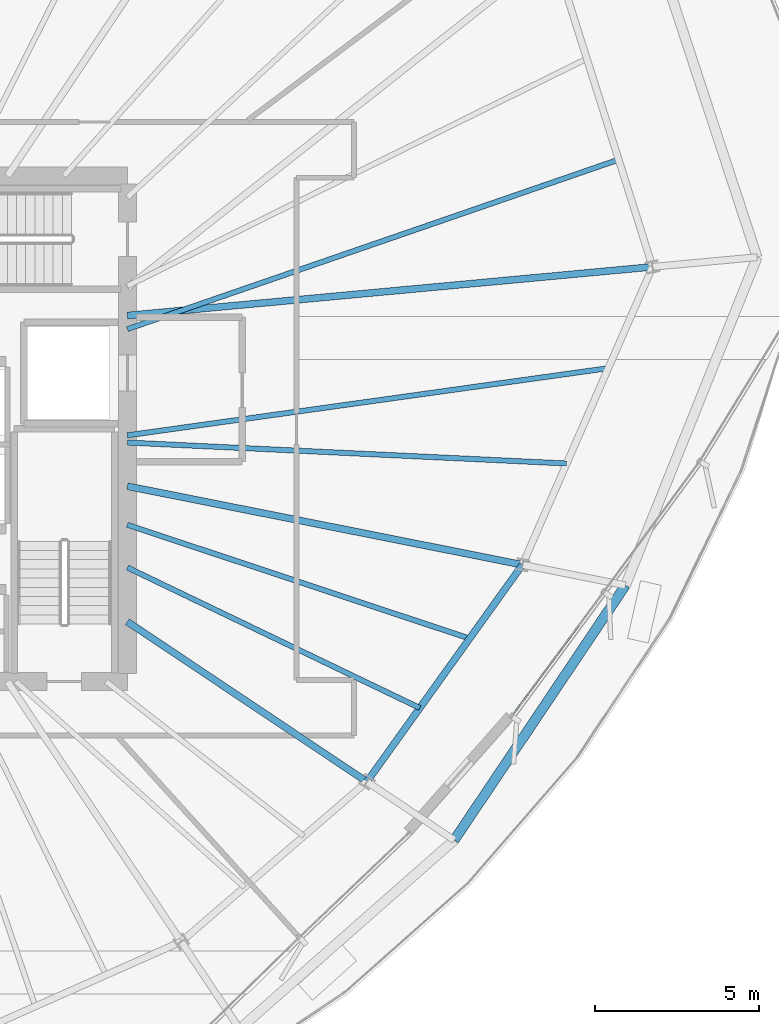
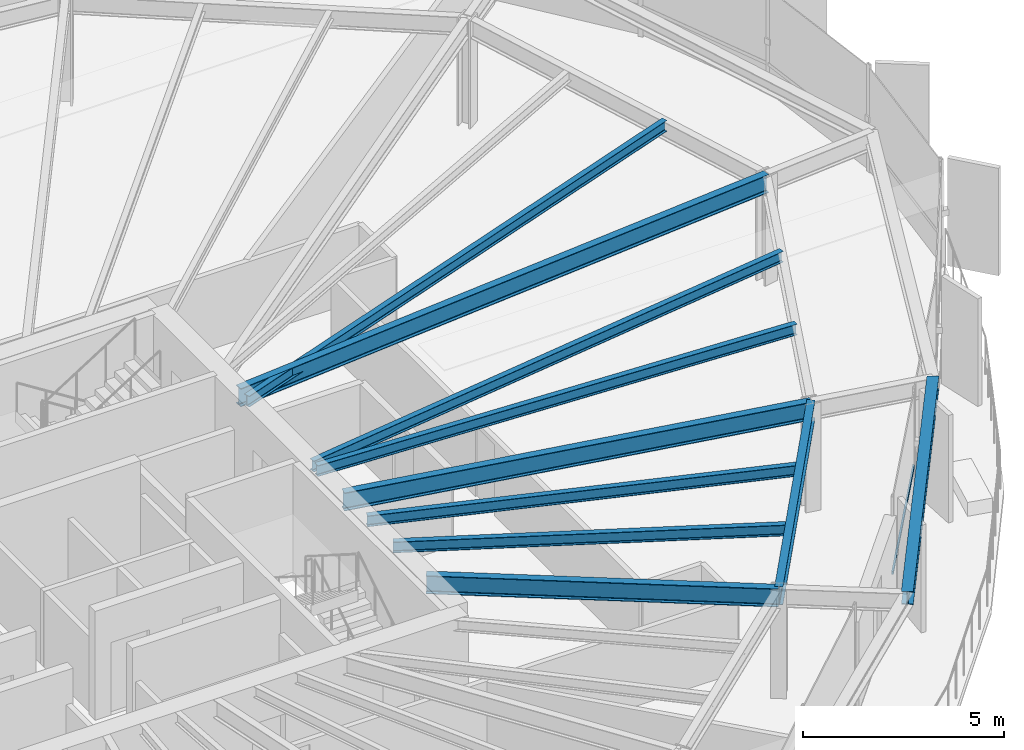
# One storey, part 15 of 34: 10 beams, 1 member, 1 element without a shape of its own.
"""IFC4 building model written with IfcOpenShell, lengths in metres."""

from ifc_helpers import new_model, si_unit, direction, frame, origin, origin_2d, place, context, subcontext, project, spatial, hollow_rectangle, i_section, extrude, source, transform, mapped, material, layer, layer_set, material_profile, profile_set, type_object, element, aggregate, save


model = new_model("IFC4")

# Units and contexts
model_context = context("Model", 3, precision=1e-05, world=origin(), true_north=direction((0.0, 1.0)))
body_context = subcontext(model_context, "Body", "Model", "MODEL_VIEW")
ifc_project = project(units=[si_unit("LENGTHUNIT", "METRE"), si_unit("AREAUNIT", "SQUARE_METRE"), si_unit("VOLUMEUNIT", "CUBIC_METRE"), si_unit("PLANEANGLEUNIT", "RADIAN"), si_unit("MASSUNIT", "GRAM", prefix="KILO"), si_unit("THERMODYNAMICTEMPERATUREUNIT", "KELVIN")], contexts=[model_context])

# Site, building, storey
site_placement = place(None, origin())
site = spatial("IfcSite", under=ifc_project, at=site_placement, CompositionType="ELEMENT")
building_placement = place(site_placement, origin())
building = spatial("IfcBuilding", under=site, at=building_placement, Name="Kethvar Cultural Tower", CompositionType="ELEMENT")
storey_placement = place(building_placement, frame((0.0, 0.0, 153.64990234375)))
storey = spatial("IfcBuildingStorey", under=building, at=storey_placement, Name="L39", CompositionType="ELEMENT", Elevation=153.64990234375)

# Beams
ifc_material_1 = material(Name="Steel S355J2", Category="steel")
ifc_material_profile_1 = material_profile(ifc_material_1, i_section(OverallWidth=0.2099609375, OverallDepth=0.550048828125, WebThickness=0.010986328125, FlangeThickness=0.01708984375, FilletRadius=0.02392578125, at=origin_2d()), Name="Steel S355J2 — IPE550")
ifc_profile_set_1 = profile_set([ifc_material_profile_1], Name="Steel S355J2 — IPE550")
beam_type_1 = type_object("IfcBeamType", Name="BM-IPE550", PredefinedType="BEAM", material=ifc_profile_set_1)
shared_shape_1 = source(origin(), body_context, "Body", "SweptSolid", [
    extrude(i_section(OverallWidth=0.2099609375, OverallDepth=0.550048828125, WebThickness=0.010986328125, FlangeThickness=0.01708984375, FilletRadius=0.02392578125, at=origin_2d()), origin(), (0.0, 0.0, 1.0), 16.071044921875),
])
beam_1_placement = place(storey_placement, frame((55.60009765625, 31.25, 3.023193359375), z_axis=(0.995731009363, 0.092302529718, 0.0), x_axis=(-0.092302529718, 0.995731009363, 0.0)))
element("IfcBeam", 1, at=beam_1_placement, inside=storey, type_object=beam_type_1, Name="L39 Primary Radial Beam RB-01", PredefinedType="BEAM", context=body_context, shape_type="MappedRepresentation", body=[
    mapped(shared_shape_1, transform((0.0, 0.0, 0.0), scale=1.0)),
])
shared_shape_2 = source(origin(), body_context, "Body", "SweptSolid", [
    extrude(i_section(OverallWidth=0.2099609375, OverallDepth=0.550048828125, WebThickness=0.010986328125, FlangeThickness=0.01708984375, FilletRadius=0.02392578125, at=origin_2d()), origin(), (0.0, 0.0, 1.0), 8.77783203125),
])
beam_2_placement = place(storey_placement, frame((55.60009765625, 21.919921875, 3.023193359375), z_axis=(0.831472186778, -0.555566380026, 0.0), x_axis=(0.555566380026, 0.831472186778, 0.0)))
element("IfcBeam", 2, at=beam_2_placement, inside=storey, type_object=beam_type_1, Name="L39 Primary Radial Beam RB-15", PredefinedType="BEAM", context=body_context, shape_type="MappedRepresentation", body=[
    mapped(shared_shape_2, transform((0.0, 0.0, 0.0), scale=1.0)),
])
shared_shape_3 = source(origin(), body_context, "Body", "SweptSolid", [
    extrude(i_section(OverallWidth=0.2099609375, OverallDepth=0.550048828125, WebThickness=0.010986328125, FlangeThickness=0.01708984375, FilletRadius=0.02392578125, at=origin_2d()), origin(), (0.0, 0.0, 1.0), 12.2744140625),
])
beam_3_placement = place(storey_placement, frame((55.60009765625, 26.049560546875, 3.023193359375), z_axis=(0.980782878234, -0.195102398146, 0.0), x_axis=(0.195102398146, 0.980782878234, 0.0)))
element("IfcBeam", 3, at=beam_3_placement, inside=storey, type_object=beam_type_1, Name="L39 Primary Radial Beam RB-16", PredefinedType="BEAM", context=body_context, shape_type="MappedRepresentation", body=[
    mapped(shared_shape_3, transform((0.0, 0.0, 0.0), scale=1.0)),
])
ifc_material_profile_2 = material_profile(ifc_material_1, i_section(OverallWidth=0.159912109375, OverallDepth=0.330078125, WebThickness=0.007568359375, FlangeThickness=0.011474609375, FilletRadius=0.01806640625, at=origin_2d()), Name="Steel S355J2 — IPE330")
ifc_profile_set_2 = profile_set([ifc_material_profile_2], Name="Steel S355J2 — IPE330")
beam_type_2 = type_object("IfcBeamType", Name="BM-J330", PredefinedType="JOIST", material=ifc_profile_set_2)
shared_shape_4 = source(origin(), body_context, "Body", "SweptSolid", [
    extrude(i_section(OverallWidth=0.159912109375, OverallDepth=0.330078125, WebThickness=0.007568359375, FlangeThickness=0.011474609375, FilletRadius=0.01806640625, at=origin_2d()), origin(), (0.0, 0.0, 1.0), 15.836669921875),
])
beam_4_placement = place(storey_placement, frame((55.60009765625, 30.836181640625, 3.133056640625), z_axis=(0.945315135904, 0.326158387644, 0.0), x_axis=(-0.326158387644, 0.945315135904, 0.0)))
element("IfcBeam", 4, at=beam_4_placement, inside=storey, type_object=beam_type_2, Name="L39 Composite Floor Joist J-01A", PredefinedType="JOIST", context=body_context, shape_type="MappedRepresentation", body=[
    mapped(shared_shape_4, transform((0.0, 0.0, 0.0), scale=1.0)),
])
shared_shape_5 = source(origin(), body_context, "Body", "SweptSolid", [
    extrude(i_section(OverallWidth=0.2099609375, OverallDepth=0.550048828125, WebThickness=0.010986328125, FlangeThickness=0.01708984375, FilletRadius=0.02392578125, at=origin_2d()), origin(), (0.0, 0.0, 1.0), 8.13525390625),
])
beam_5_placement = place(storey_placement, frame((62.898681640625, 17.043212890625, 3.023193359375), z_axis=(0.582656731995, 0.812718359988, 0.0), x_axis=(-0.812718359988, 0.582656731995, 0.0)))
element("IfcBeam", 5, at=beam_5_placement, inside=storey, type_object=beam_type_1, Name="L39 Column Ring Tie Beam CR-15", PredefinedType="BEAM", context=body_context, shape_type="MappedRepresentation", body=[
    mapped(shared_shape_5, transform((0.0, 0.0, 0.0), scale=1.0)),
])
ifc_material_profile_3 = material_profile(ifc_material_1, i_section(OverallWidth=0.300048828125, OverallDepth=0.39990234375, WebThickness=0.013427734375, FlangeThickness=0.02392578125, FilletRadius=0.027099609375, at=origin_2d()), Name="Steel S355J2 — HEB400")
ifc_profile_set_3 = profile_set([ifc_material_profile_3], Name="Steel S355J2 — HEB400")
beam_type_3 = type_object("IfcBeamType", Name="BM-SP400", PredefinedType="SPANDREL", material=ifc_profile_set_3)
shared_shape_6 = source(origin(), body_context, "Body", "SweptSolid", [
    extrude(i_section(OverallWidth=0.300048828125, OverallDepth=0.39990234375, WebThickness=0.013427734375, FlangeThickness=0.02392578125, FilletRadius=0.027099609375, at=origin_2d()), origin(), (0.0, 0.0, 1.0), 9.355224609375),
])
beam_6_placement = place(storey_placement, frame((65.559326171875, 15.265380859375, 3.09814453125), z_axis=(0.557731714622, 0.830021285573, 0.0), x_axis=(-0.830021285573, 0.557731714622, 0.0)))
element("IfcBeam", 6, at=beam_6_placement, inside=storey, type_object=beam_type_3, Name="L39 Perimeter Spandrel Beam SP-15", PredefinedType="SPANDREL", context=body_context, shape_type="MappedRepresentation", body=[
    mapped(shared_shape_6, transform((0.0, 0.0, 0.0), scale=1.0)),
])
shared_shape_7 = source(origin(), body_context, "Body", "SweptSolid", [
    extrude(i_section(OverallWidth=0.159912109375, OverallDepth=0.330078125, WebThickness=0.007568359375, FlangeThickness=0.011474609375, FilletRadius=0.01806640625, at=origin_2d()), origin(), (0.0, 0.0, 1.0), 9.885009765625),
])
beam_7_placement = place(storey_placement, frame((55.60009765625, 23.572021484375, 3.133056640625), z_axis=(0.901369611334, -0.43305060185, 0.0), x_axis=(0.43305060185, 0.901369611334, 0.0)))
element("IfcBeam", 7, at=beam_7_placement, inside=storey, type_object=beam_type_2, Name="L39 Composite Floor Joist J-15A", PredefinedType="JOIST", context=body_context, shape_type="MappedRepresentation", body=[
    mapped(shared_shape_7, transform((0.0, 0.0, 0.0), scale=1.0)),
])
shared_shape_8 = source(origin(), body_context, "Body", "SweptSolid", [
    extrude(i_section(OverallWidth=0.159912109375, OverallDepth=0.330078125, WebThickness=0.007568359375, FlangeThickness=0.011474609375, FilletRadius=0.01806640625, at=origin_2d()), origin(), (0.0, 0.0, 1.0), 10.98828125),
])
beam_8_placement = place(storey_placement, frame((55.60009765625, 24.8740234375, 3.133056640625), z_axis=(0.948918548228, -0.315521138481, 0.0), x_axis=(0.315521138481, 0.948918548228, 0.0)))
element("IfcBeam", 8, at=beam_8_placement, inside=storey, type_object=beam_type_2, Name="L39 Composite Floor Joist J-15B", PredefinedType="JOIST", context=body_context, shape_type="MappedRepresentation", body=[
    mapped(shared_shape_8, transform((0.0, 0.0, 0.0), scale=1.0)),
])
shared_shape_9 = source(origin(), body_context, "Body", "SweptSolid", [
    extrude(i_section(OverallWidth=0.159912109375, OverallDepth=0.330078125, WebThickness=0.007568359375, FlangeThickness=0.011474609375, FilletRadius=0.01806640625, at=origin_2d()), origin(), (0.0, 0.0, 1.0), 13.4013671875),
])
beam_9_placement = place(storey_placement, frame((55.60009765625, 27.380126953125, 3.133056640625), z_axis=(0.998864631653, -0.047638719894, 0.0), x_axis=(0.047638719894, 0.998864631653, 0.0)))
element("IfcBeam", 9, at=beam_9_placement, inside=storey, type_object=beam_type_2, Name="L39 Composite Floor Joist J-16A", PredefinedType="JOIST", context=body_context, shape_type="MappedRepresentation", body=[
    mapped(shared_shape_9, transform((0.0, 0.0, 0.0), scale=1.0)),
])
shared_shape_10 = source(origin(), body_context, "Body", "SweptSolid", [
    extrude(i_section(OverallWidth=0.159912109375, OverallDepth=0.330078125, WebThickness=0.007568359375, FlangeThickness=0.011474609375, FilletRadius=0.01806640625, at=origin_2d()), origin(), (0.0, 0.0, 1.0), 14.797119140625),
])
beam_10_placement = place(storey_placement, frame((55.60009765625, 27.60009765625, 3.133056640625), z_axis=(0.990388450305, 0.138313836986, 0.0), x_axis=(-0.138313836986, 0.990388450305, 0.0)))
element("IfcBeam", 10, at=beam_10_placement, inside=storey, type_object=beam_type_2, Name="L39 Composite Floor Joist J-16B", PredefinedType="JOIST", context=body_context, shape_type="MappedRepresentation", body=[
    mapped(shared_shape_10, transform((0.0, 0.0, 0.0), scale=1.0)),
])

# Curtain wall, member
ifc_material_2 = material(Name="Aluminium 6063-T6", Category="aluminium")
ifc_layer = layer(ifc_material_2, 0.179931640625, Name="Aluminium 6063-T6", Category="aluminium")
ifc_layer_set = layer_set([ifc_layer], Name="Aluminium 6063-T6 (180 mm)")
curtain_wall_type = type_object("IfcCurtainWallType", Name="CW-SYS-04-Z34", PredefinedType="NOTDEFINED", material=ifc_layer_set)
curtain_wall_placement = place(storey_placement, origin())
curtain_wall = element("IfcCurtainWall", 11, at=curtain_wall_placement, inside=storey, type_object=curtain_wall_type, Name="L39 Curtain Wall Run 06", PredefinedType="NOTDEFINED")
ifc_material_profile_4 = material_profile(ifc_material_2, hollow_rectangle(XDim=0.050048828125, YDim=0.10009765625, WallThickness=0.00390625, at=origin_2d()), Name="Aluminium 6063-T6 — RHS100x50x4")
ifc_profile_set_4 = profile_set([ifc_material_profile_4], Name="Aluminium 6063-T6 — RHS100x50x4")
member_type = type_object("IfcMemberType", Name="CW-SYS-04-Z34-TRN", PredefinedType="USERDEFINED", material=ifc_profile_set_4)
shared_shape_11 = source(origin(), body_context, "Body", "SweptSolid", [
    extrude(hollow_rectangle(XDim=0.050048828125, YDim=0.10009765625, WallThickness=0.00390625, at=origin_2d()), origin(), (0.0, 0.0, 1.0), 4.666748046875),
])
member_placement = place(storey_placement, frame((67.318115234375, 19.04833984375, 0.9501953125), z_axis=(0.594335164643, 0.804217453223, 0.0), x_axis=(-0.804217453223, 0.594335164643, 0.0)))
member = element("IfcMember", 12, at=member_placement, type_object=member_type, Name="CW-L39-R06 Transom 1", ObjectType="TRANSOM", PredefinedType="USERDEFINED", context=body_context, shape_type="MappedRepresentation", body=[
    mapped(shared_shape_11, transform((0.0, 0.0, 0.0), scale=1.0)),
])
aggregate(curtain_wall, [member])

save(model, "model.ifc")
